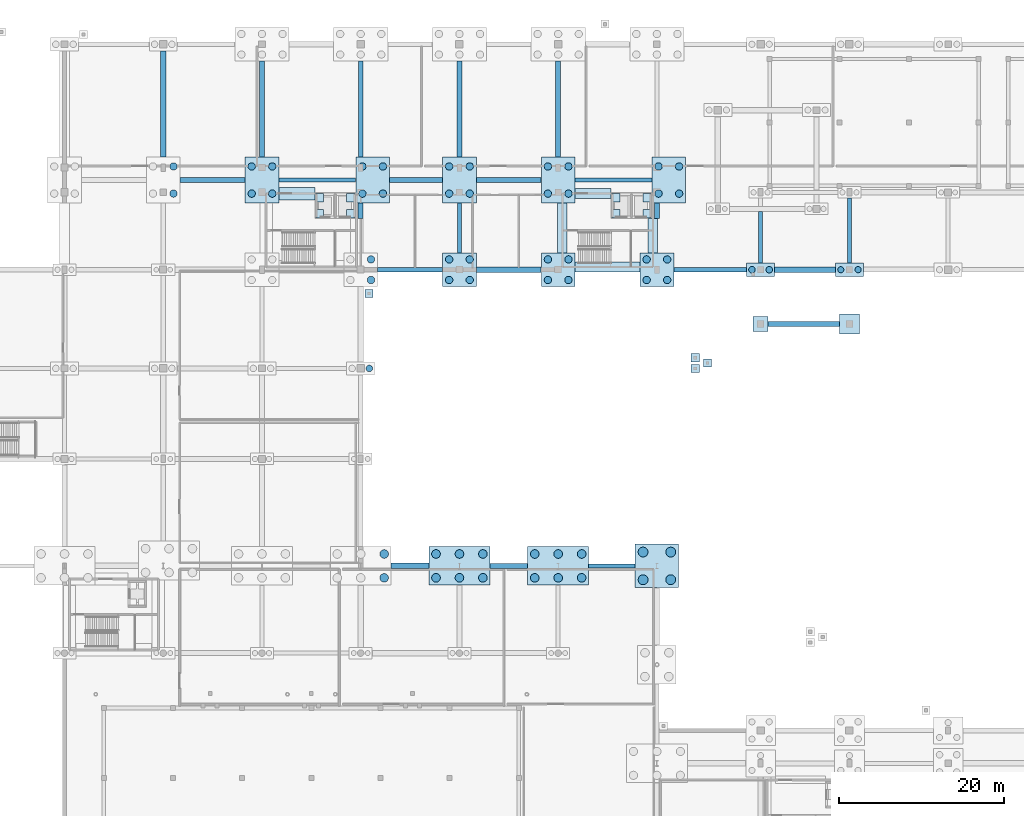
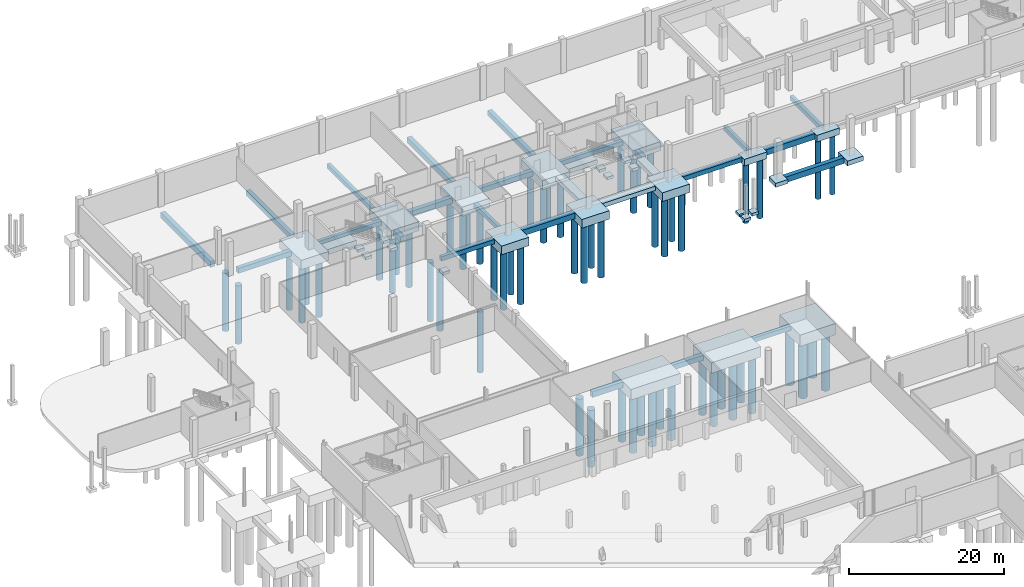
# One storey, part 4 of 42: 59 piles, 55 footings.
"""IFC4 building model written with IfcOpenShell, lengths in metres."""

from ifc_helpers import new_model, si_unit, direction, frame, origin, origin_2d, place, context, subcontext, project, spatial, rectangle, circle, extrude, material, material_profile, profile_set, type_object, element, save


model = new_model("IFC4")

# Units and contexts
model_context = context("Model", 3, precision=1e-05, world=origin(), true_north=direction((0.0, 1.0)))
body_context = subcontext(model_context, "Body", "Model", "MODEL_VIEW")
ifc_project = project(units=[si_unit("LENGTHUNIT", "METRE"), si_unit("AREAUNIT", "SQUARE_METRE"), si_unit("VOLUMEUNIT", "CUBIC_METRE"), si_unit("PLANEANGLEUNIT", "RADIAN"), si_unit("MASSUNIT", "GRAM", prefix="KILO"), si_unit("THERMODYNAMICTEMPERATUREUNIT", "KELVIN"), si_unit("POWERUNIT", "WATT")], contexts=[model_context])

# Site, building, storey
site_placement = place(None, origin())
site = spatial("IfcSite", under=ifc_project, at=site_placement, CompositionType="ELEMENT")
building_placement = place(site_placement, origin())
building = spatial("IfcBuilding", under=site, at=building_placement, Name="Solmara Park Aquatics Centre", CompositionType="ELEMENT")
storey_placement = place(building_placement, frame((0.0, 0.0, -5.39990234375)))
storey = spatial("IfcBuildingStorey", under=building, at=storey_placement, Name="B1", CompositionType="ELEMENT", Elevation=-5.39990234375)

# Footings
ifc_material = material(Name="Watertight Concrete C45/55", Category="concrete")
footing_type_1 = type_object("IfcFootingType", Name="STR-FB-500x700", PredefinedType="FOOTING_BEAM", material=ifc_material)
footing_1_placement = place(storey_placement, frame((91.125, 72.60009765625, -1.25), z_axis=(0.0, 0.0, 1.0), x_axis=(1.0, 0.0, 0.0)))
element("IfcFooting", 1, at=footing_1_placement, inside=storey, type_object=footing_type_1, Name="Ground Tie Beam FB-065", PredefinedType="FOOTING_BEAM", context=body_context, shape_type="SweptSolid", body=[
    extrude(rectangle(XDim=5.6298828125, YDim=0.5, at=origin_2d()), origin(), (0.0, 0.0, 1.0), 0.699951171875),
])
footing_2_placement = place(storey_placement, frame((66.60009765625, 108.60009765625, -1.25), z_axis=(0.0, 0.0, 1.0), x_axis=(1.0, 0.0, 0.0)))
element("IfcFooting", 2, at=footing_2_placement, inside=storey, type_object=footing_type_1, Name="Ground Tie Beam FB-082", PredefinedType="FOOTING_BEAM", context=body_context, shape_type="SweptSolid", body=[
    extrude(rectangle(XDim=7.8798828125, YDim=0.5, at=origin_2d()), origin(), (0.0, 0.0, 1.0), 0.699951171875),
])
footing_3_placement = place(storey_placement, frame((103.074951171875, 108.60009765625, -1.25), z_axis=(0.0, 0.0, 1.0), x_axis=(1.0, 0.0, 0.0)))
element("IfcFooting", 3, at=footing_3_placement, inside=storey, type_object=footing_type_1, Name="Ground Tie Beam FB-084", PredefinedType="FOOTING_BEAM", context=body_context, shape_type="SweptSolid", body=[
    extrude(rectangle(XDim=8.830078125, YDim=0.5, at=origin_2d()), origin(), (0.0, 0.0, 1.0), 0.699951171875),
])
for number, where, z_axis, x_axis, name in (
    (4, (55.324951171875, 119.5, -1.25), (0.0, 0.0, 1.0), (1.0, 0.0, 0.0), "Ground Tie Beam FB-096"),
    (5, (91.324951171875, 119.5, -1.25), (0.0, 0.0, 1.0), (1.0, 0.0, 0.0), "Ground Tie Beam FB-099"),
):
    element("IfcFooting", number, at=place(storey_placement, frame(where, z_axis=z_axis, x_axis=x_axis)), inside=storey, type_object=footing_type_1, Name=name, PredefinedType="FOOTING_BEAM", context=body_context, shape_type="SweptSolid", body=[
        extrude(rectangle(XDim=9.330078125, YDim=0.5, at=origin_2d()), origin(), (0.0, 0.0, 1.0), 0.699951171875),
    ])
footing_4_placement = place(storey_placement, frame((60.60009765625, 128.125, -1.25), z_axis=(0.0, 0.0, 1.0), x_axis=(1.0, 0.0, 0.0)))
element("IfcFooting", 6, at=footing_4_placement, inside=storey, type_object=footing_type_1, Name="Ground Tie Beam FB-142", PredefinedType="FOOTING_BEAM", context=body_context, shape_type="SweptSolid", body=[
    extrude(rectangle(XDim=0.5, YDim=11.6298828125, at=origin_2d()), origin(), (0.0, 0.0, 1.0), 0.699951171875),
])
footing_5_placement = place(storey_placement, frame((72.60009765625, 113.675048828125, -1.25), z_axis=(0.0, 0.0, 1.0), x_axis=(1.0, 0.0, 0.0)))
element("IfcFooting", 7, at=footing_5_placement, inside=storey, type_object=footing_type_1, Name="Ground Tie Beam FB-145", PredefinedType="FOOTING_BEAM", context=body_context, shape_type="SweptSolid", body=[
    extrude(rectangle(XDim=0.5, YDim=6.030029296875, at=origin_2d()), origin(), (0.0, 0.0, 1.0), 0.699951171875),
])
footing_6_placement = place(storey_placement, frame((109.199951171875, 112.550048828125, -1.25), z_axis=(0.0, 0.0, 1.0), x_axis=(1.0, 0.0, 0.0)))
element("IfcFooting", 8, at=footing_6_placement, inside=storey, type_object=footing_type_1, Name="Ground Tie Beam FB-159", PredefinedType="FOOTING_BEAM", context=body_context, shape_type="SweptSolid", body=[
    extrude(rectangle(XDim=0.5, YDim=6.280029296875, at=origin_2d()), origin(), (0.0, 0.0, 1.0), 0.699951171875),
])
footing_7_placement = place(storey_placement, frame((120.0, 113.35009765625, -1.25), z_axis=(0.0, 0.0, 1.0), x_axis=(1.0, 0.0, 0.0)))
element("IfcFooting", 9, at=footing_7_placement, inside=storey, type_object=footing_type_1, Name="Ground Tie Beam FB-167", PredefinedType="FOOTING_BEAM", context=body_context, shape_type="SweptSolid", body=[
    extrude(rectangle(XDim=0.5, YDim=7.8798828125, at=origin_2d()), origin(), (0.0, 0.0, 1.0), 0.699951171875),
])
footing_type_2 = type_object("IfcFootingType", Name="STR-FB-600x800", PredefinedType="FOOTING_BEAM", material=ifc_material)
footing_8_placement = place(storey_placement, frame((78.60009765625, 72.60009765625, -1.35009765625), z_axis=(0.0, 0.0, 1.0), x_axis=(1.0, 0.0, 0.0)))
element("IfcFooting", 10, at=footing_8_placement, inside=storey, type_object=footing_type_2, Name="Ground Tie Beam FB-064", PredefinedType="FOOTING_BEAM", context=body_context, shape_type="SweptSolid", body=[
    extrude(rectangle(XDim=4.580078125, YDim=0.60009765625, at=origin_2d()), origin(), (0.0, 0.0, 1.0), 0.800048828125),
])
for number, where, z_axis, x_axis, name in (
    (11, (42.60009765625, 119.5, -1.35009765625), (0.0, 0.0, 1.0), (1.0, 0.0, 0.0), "Ground Tie Beam FB-095"),
    (12, (78.60009765625, 119.5, -1.35009765625), (0.0, 0.0, 1.0), (1.0, 0.0, 0.0), "Ground Tie Beam FB-098"),
):
    element("IfcFooting", number, at=place(storey_placement, frame(where, z_axis=z_axis, x_axis=x_axis)), inside=storey, type_object=footing_type_2, Name=name, PredefinedType="FOOTING_BEAM", context=body_context, shape_type="SweptSolid", body=[
        extrude(rectangle(XDim=7.8798828125, YDim=0.60009765625, at=origin_2d()), origin(), (0.0, 0.0, 1.0), 0.800048828125),
    ])
footing_9_placement = place(storey_placement, frame((48.60009765625, 128.125, -1.35009765625), z_axis=(0.0, 0.0, 1.0), x_axis=(1.0, 0.0, 0.0)))
element("IfcFooting", 13, at=footing_9_placement, inside=storey, type_object=footing_type_2, Name="Ground Tie Beam FB-135", PredefinedType="FOOTING_BEAM", context=body_context, shape_type="SweptSolid", body=[
    extrude(rectangle(XDim=0.60009765625, YDim=11.6298828125, at=origin_2d()), origin(), (0.0, 0.0, 1.0), 0.800048828125),
])
footing_10_placement = place(storey_placement, frame((60.60009765625, 115.77001953125, -1.35009765625), z_axis=(0.0, 0.0, 1.0), x_axis=(1.0, 0.0, 0.0)))
element("IfcFooting", 14, at=footing_10_placement, inside=storey, type_object=footing_type_2, Name="Ground Tie Beam FB-141", PredefinedType="FOOTING_BEAM", context=body_context, shape_type="SweptSolid", body=[
    extrude(rectangle(XDim=0.60009765625, YDim=1.840087890625, at=origin_2d()), origin(), (0.0, 0.0, 1.0), 0.800048828125),
])
footing_11_placement = place(storey_placement, frame((84.60009765625, 128.125, -1.35009765625), z_axis=(0.0, 0.0, 1.0), x_axis=(1.0, 0.0, 0.0)))
element("IfcFooting", 15, at=footing_11_placement, inside=storey, type_object=footing_type_2, Name="Ground Tie Beam FB-149", PredefinedType="FOOTING_BEAM", context=body_context, shape_type="SweptSolid", body=[
    extrude(rectangle(XDim=0.60009765625, YDim=11.6298828125, at=origin_2d()), origin(), (0.0, 0.0, 1.0), 0.800048828125),
])
footing_12_placement = place(storey_placement, frame((96.60009765625, 115.77001953125, -1.35009765625), z_axis=(0.0, 0.0, 1.0), x_axis=(1.0, 0.0, 0.0)))
element("IfcFooting", 16, at=footing_12_placement, inside=storey, type_object=footing_type_2, Name="Ground Tie Beam FB-155", PredefinedType="FOOTING_BEAM", context=body_context, shape_type="SweptSolid", body=[
    extrude(rectangle(XDim=0.60009765625, YDim=1.840087890625, at=origin_2d()), origin(), (0.0, 0.0, 1.0), 0.800048828125),
])
footing_type_3 = type_object("IfcFootingType", Name="STR-FB-650x900", PredefinedType="FOOTING_BEAM", material=ifc_material)
footing_13_placement = place(storey_placement, frame((66.60009765625, 72.60009765625, -1.449951171875), z_axis=(0.0, 0.0, 1.0), x_axis=(1.0, 0.0, 0.0)))
element("IfcFooting", 17, at=footing_13_placement, inside=storey, type_object=footing_type_3, Name="Ground Tie Beam FB-063", PredefinedType="FOOTING_BEAM", context=body_context, shape_type="SweptSolid", body=[
    extrude(rectangle(XDim=4.580078125, YDim=0.64990234375, at=origin_2d()), origin(), (0.0, 0.0, 1.0), 0.89990234375),
])
footing_14_placement = place(storey_placement, frame((114.449951171875, 102.0, -1.449951171875), z_axis=(0.0, 0.0, 1.0), x_axis=(1.0, 0.0, 0.0)))
element("IfcFooting", 18, at=footing_14_placement, inside=storey, type_object=footing_type_3, Name="Ground Tie Beam FB-078", PredefinedType="FOOTING_BEAM", context=body_context, shape_type="SweptSolid", body=[
    extrude(rectangle(XDim=8.679931640625, YDim=0.64990234375, at=origin_2d()), origin(), (0.0, 0.0, 1.0), 0.89990234375),
])
footing_15_placement = place(storey_placement, frame((78.60009765625, 108.60009765625, -1.449951171875), z_axis=(0.0, 0.0, 1.0), x_axis=(1.0, 0.0, 0.0)))
element("IfcFooting", 19, at=footing_15_placement, inside=storey, type_object=footing_type_3, Name="Ground Tie Beam FB-083", PredefinedType="FOOTING_BEAM", context=body_context, shape_type="SweptSolid", body=[
    extrude(rectangle(XDim=7.8798828125, YDim=0.64990234375, at=origin_2d()), origin(), (0.0, 0.0, 1.0), 0.89990234375),
])
footing_16_placement = place(storey_placement, frame((114.60009765625, 108.60009765625, -1.449951171875), z_axis=(0.0, 0.0, 1.0), x_axis=(1.0, 0.0, 0.0)))
element("IfcFooting", 20, at=footing_16_placement, inside=storey, type_object=footing_type_3, Name="Ground Tie Beam FB-085", PredefinedType="FOOTING_BEAM", context=body_context, shape_type="SweptSolid", body=[
    extrude(rectangle(XDim=7.3798828125, YDim=0.64990234375, at=origin_2d()), origin(), (0.0, 0.0, 1.0), 0.89990234375),
])
footing_17_placement = place(storey_placement, frame((67.324951171875, 119.5, -1.449951171875), z_axis=(0.0, 0.0, 1.0), x_axis=(1.0, 0.0, 0.0)))
element("IfcFooting", 21, at=footing_17_placement, inside=storey, type_object=footing_type_3, Name="Ground Tie Beam FB-097", PredefinedType="FOOTING_BEAM", context=body_context, shape_type="SweptSolid", body=[
    extrude(rectangle(XDim=6.429931640625, YDim=0.64990234375, at=origin_2d()), origin(), (0.0, 0.0, 1.0), 0.89990234375),
])
footing_18_placement = place(storey_placement, frame((36.60009765625, 128.75, -1.449951171875), z_axis=(0.0, 0.0, 1.0), x_axis=(1.0, 0.0, 0.0)))
element("IfcFooting", 22, at=footing_18_placement, inside=storey, type_object=footing_type_3, Name="Ground Tie Beam FB-129", PredefinedType="FOOTING_BEAM", context=body_context, shape_type="SweptSolid", body=[
    extrude(rectangle(XDim=0.64990234375, YDim=12.8798828125, at=origin_2d()), origin(), (0.0, 0.0, 1.0), 0.89990234375),
])
footing_19_placement = place(storey_placement, frame((72.60009765625, 128.125, -1.449951171875), z_axis=(0.0, 0.0, 1.0), x_axis=(1.0, 0.0, 0.0)))
element("IfcFooting", 23, at=footing_19_placement, inside=storey, type_object=footing_type_3, Name="Ground Tie Beam FB-146", PredefinedType="FOOTING_BEAM", context=body_context, shape_type="SweptSolid", body=[
    extrude(rectangle(XDim=0.64990234375, YDim=11.6298828125, at=origin_2d()), origin(), (0.0, 0.0, 1.0), 0.89990234375),
])
footing_type_4 = type_object("IfcFootingType", Name="STR-PC-2P750", PredefinedType="PILE_CAP", material=ifc_material)
for number, where, z_axis, x_axis, name in (
    (24, (109.199951171875, 108.60009765625, -1.60009765625), (0.0, 0.0, 1.0), (1.0, 0.0, 0.0), "Pile Cap PC-075"),
    (25, (120.0, 108.60009765625, -1.60009765625), (0.0, 0.0, 1.0), (1.0, 0.0, 0.0), "Pile Cap PC-085"),
):
    element("IfcFooting", number, at=place(storey_placement, frame(where, z_axis=z_axis, x_axis=x_axis)), inside=storey, type_object=footing_type_4, Name=name, PredefinedType="PILE_CAP", context=body_context, shape_type="SweptSolid", body=[
        extrude(rectangle(XDim=3.39990234375, YDim=1.60009765625, at=origin_2d()), origin(), (0.0, 0.0, 1.0), 1.050048828125),
    ])
footing_type_5 = type_object("IfcFootingType", Name="STR-PC-4P1200", PredefinedType="PILE_CAP", material=ifc_material)
footing_20_placement = place(storey_placement, frame((96.60009765625, 72.60009765625, -2.35009765625), z_axis=(0.0, 0.0, 1.0), x_axis=(1.0, 0.0, 0.0)))
element("IfcFooting", 26, at=footing_20_placement, inside=storey, type_object=footing_type_5, Name="Pile Cap PC-065", PredefinedType="PILE_CAP", context=body_context, shape_type="SweptSolid", body=[
    extrude(rectangle(XDim=5.300048828125, YDim=5.300048828125, at=origin_2d()), origin(), (0.0, 0.0, 1.0), 1.800048828125),
])
footing_type_6 = type_object("IfcFootingType", Name="STR-PC-4P900", PredefinedType="PILE_CAP", material=ifc_material)
for number, where, z_axis, x_axis, name in (
    (27, (72.60009765625, 108.60009765625, -1.900146484375), (0.0, 0.0, 1.0), (1.0, 0.0, 0.0), "Pile Cap PC-050"),
    (28, (84.60009765625, 108.60009765625, -1.900146484375), (0.0, 0.0, 1.0), (1.0, 0.0, 0.0), "Pile Cap PC-057"),
    (29, (96.60009765625, 108.60009765625, -1.900146484375), (0.0, 0.0, 1.0), (1.0, 0.0, 0.0), "Pile Cap PC-066"),
):
    element("IfcFooting", number, at=place(storey_placement, frame(where, z_axis=z_axis, x_axis=x_axis)), inside=storey, type_object=footing_type_6, Name=name, PredefinedType="PILE_CAP", context=body_context, shape_type="SweptSolid", body=[
        extrude(rectangle(XDim=4.10009765625, YDim=4.10009765625, at=origin_2d()), origin(), (0.0, 0.0, 1.0), 1.35009765625),
    ])
footing_type_7 = type_object("IfcFootingType", Name="STR-PC-6P1050", PredefinedType="PILE_CAP", material=ifc_material)
for number, where, z_axis, x_axis, name in (
    (30, (72.60009765625, 72.60009765625, -2.199951171875), (0.0, 0.0, 1.0), (1.0, 0.0, 0.0), "Pile Cap PC-049"),
    (31, (84.60009765625, 72.60009765625, -2.199951171875), (0.0, 0.0, 1.0), (1.0, 0.0, 0.0), "Pile Cap PC-056"),
):
    element("IfcFooting", number, at=place(storey_placement, frame(where, z_axis=z_axis, x_axis=x_axis)), inside=storey, type_object=footing_type_7, Name=name, PredefinedType="PILE_CAP", context=body_context, shape_type="SweptSolid", body=[
        extrude(rectangle(XDim=7.39990234375, YDim=4.699951171875, at=origin_2d()), origin(), (0.0, 0.0, 1.0), 1.64990234375),
    ])
footing_type_8 = type_object("IfcFootingType", Name="STR-PC-COR900", PredefinedType="PILE_CAP", material=ifc_material)
for number, where, z_axis, x_axis, name in (
    (32, (48.60009765625, 119.5, -2.0), (0.0, 0.0, 1.0), (1.0, 0.0, 0.0), "Combined Corridor Pile Cap PC-035"),
    (33, (62.050048828125, 119.5, -2.0), (0.0, 0.0, 1.0), (1.0, 0.0, 0.0), "Combined Corridor Pile Cap PC-044"),
    (34, (72.60009765625, 119.5, -2.0), (0.0, 0.0, 1.0), (1.0, 0.0, 0.0), "Combined Corridor Pile Cap PC-051"),
    (35, (84.60009765625, 119.5, -2.0), (0.0, 0.0, 1.0), (1.0, 0.0, 0.0), "Combined Corridor Pile Cap PC-058"),
    (36, (98.050048828125, 119.5, -2.0), (0.0, 0.0, 1.0), (1.0, 0.0, 0.0), "Combined Corridor Pile Cap PC-067"),
):
    element("IfcFooting", number, at=place(storey_placement, frame(where, z_axis=z_axis, x_axis=x_axis)), inside=storey, type_object=footing_type_8, Name=name, PredefinedType="PILE_CAP", context=body_context, shape_type="SweptSolid", body=[
        extrude(rectangle(XDim=4.10009765625, YDim=5.60009765625, at=origin_2d()), origin(), (0.0, 0.0, 1.0), 1.449951171875),
    ])
footing_type_9 = type_object("IfcFootingType", Name="STR-PF-1000", PredefinedType="PAD_FOOTING", material=ifc_material)
for number, where, z_axis, x_axis, name in (
    (37, (55.60009765625, 115.39990234375, -2.39990234375), (0.0, 0.0, 1.0), (1.0, 0.0, 0.0), "Lift Pit LF-01 and LF-02 Bearing Pad 1"),
    (38, (59.39990234375, 115.39990234375, -2.39990234375), (0.0, 0.0, 1.0), (1.0, 0.0, 0.0), "Lift Pit LF-01 and LF-02 Bearing Pad 2"),
    (39, (55.60009765625, 117.35009765625, -2.39990234375), (0.0, 0.0, 1.0), (1.0, 0.0, 0.0), "Lift Pit LF-01 and LF-02 Bearing Pad 3"),
    (40, (59.39990234375, 117.35009765625, -2.39990234375), (0.0, 0.0, 1.0), (1.0, 0.0, 0.0), "Lift Pit LF-01 and LF-02 Bearing Pad 4"),
    (41, (91.60009765625, 115.39990234375, -2.39990234375), (0.0, 0.0, 1.0), (1.0, 0.0, 0.0), "Lift Pit LF-03 and LF-04 Bearing Pad 1"),
    (42, (95.39990234375, 115.39990234375, -2.39990234375), (0.0, 0.0, 1.0), (1.0, 0.0, 0.0), "Lift Pit LF-03 and LF-04 Bearing Pad 2"),
    (43, (91.60009765625, 117.35009765625, -2.39990234375), (0.0, 0.0, 1.0), (1.0, 0.0, 0.0), "Lift Pit LF-03 and LF-04 Bearing Pad 3"),
    (44, (95.39990234375, 117.35009765625, -2.39990234375), (0.0, 0.0, 1.0), (1.0, 0.0, 0.0), "Lift Pit LF-03 and LF-04 Bearing Pad 4"),
    (45, (61.60009765625, 105.699951171875, -1.0), (0.0, 0.0, 1.0), (1.0, 0.0, 0.0), "Apron Foundation Pier SLB-L00-APR-C-1 Footing"),
    (46, (101.25, 96.60009765625, -1.0), (0.0, 0.0, 1.0), (1.0, 0.0, 0.0), "Training Pool Hydrotherapy Deck Ramp Foundation Pier 1 Footing"),
    (47, (101.25, 97.89990234375, -1.0), (0.0, 0.0, 1.0), (1.0, 0.0, 0.0), "Training Pool Hydrotherapy Deck Ramp Foundation Pier 2 Footing"),
    (48, (102.75, 97.25, -1.0), (0.0, 0.0, 1.0), (1.0, 0.0, 0.0), "Training Pool Hydrotherapy Deck Ramp Foundation Pier 3 Footing"),
):
    element("IfcFooting", number, at=place(storey_placement, frame(where, z_axis=z_axis, x_axis=x_axis)), inside=storey, type_object=footing_type_9, Name=name, PredefinedType="PAD_FOOTING", context=body_context, shape_type="SweptSolid", body=[
        extrude(rectangle(XDim=1.0, YDim=1.0, at=origin_2d()), origin(), (0.0, 0.0, 1.0), 0.449951171875),
    ])
footing_type_10 = type_object("IfcFootingType", Name="STR-PF-1800", PredefinedType="PAD_FOOTING", material=ifc_material)
footing_21_placement = place(storey_placement, frame((109.199951171875, 102.0, -1.199951171875), z_axis=(0.0, 0.0, 1.0), x_axis=(1.0, 0.0, 0.0)))
element("IfcFooting", 49, at=footing_21_placement, inside=storey, type_object=footing_type_10, Name="Pad Footing PF-001", PredefinedType="PAD_FOOTING", context=body_context, shape_type="SweptSolid", body=[
    extrude(rectangle(XDim=1.800048828125, YDim=1.800048828125, at=origin_2d()), origin(), (0.0, 0.0, 1.0), 0.64990234375),
])
footing_type_11 = type_object("IfcFootingType", Name="STR-PF-2400", PredefinedType="PAD_FOOTING", material=ifc_material)
footing_22_placement = place(storey_placement, frame((120.0, 102.0, -1.300048828125), z_axis=(0.0, 0.0, 1.0), x_axis=(1.0, 0.0, 0.0)))
element("IfcFooting", 50, at=footing_22_placement, inside=storey, type_object=footing_type_11, Name="Pad Footing PF-003", PredefinedType="PAD_FOOTING", context=body_context, shape_type="SweptSolid", body=[
    extrude(rectangle(XDim=2.39990234375, YDim=2.39990234375, at=origin_2d()), origin(), (0.0, 0.0, 1.0), 0.75),
])

# Piles
ifc_material_profile_1 = material_profile(ifc_material, circle(Radius=0.52490234375, at=origin_2d()), Name="BORED PILE D1050")
ifc_profile_set_1 = profile_set([ifc_material_profile_1], Name="Watertight Concrete C45/55")
pile_type_1 = type_object("IfcPileType", Name="STR-PILE-D1050", PredefinedType="BORED", material=ifc_profile_set_1)
for number, where, z_axis, x_axis, name in (
    (51, (63.449951171875, 71.14990234375, -2.10009765625), (0.0, 0.0, -1.0), (1.0, 0.0, 0.0), "Bored Pile PL-0129"),
    (52, (63.449951171875, 74.050048828125, -2.10009765625), (0.0, 0.0, -1.0), (1.0, 0.0, 0.0), "Bored Pile PL-0132"),
    (53, (69.75, 71.14990234375, -2.10009765625), (0.0, 0.0, -1.0), (1.0, 0.0, 0.0), "Bored Pile PL-0159"),
    (54, (72.60009765625, 71.14990234375, -2.10009765625), (0.0, 0.0, -1.0), (1.0, 0.0, 0.0), "Bored Pile PL-0160"),
    (55, (75.449951171875, 71.14990234375, -2.10009765625), (0.0, 0.0, -1.0), (1.0, 0.0, 0.0), "Bored Pile PL-0161"),
    (56, (69.75, 74.050048828125, -2.10009765625), (0.0, 0.0, -1.0), (1.0, 0.0, 0.0), "Bored Pile PL-0162"),
    (57, (72.60009765625, 74.050048828125, -2.10009765625), (0.0, 0.0, -1.0), (1.0, 0.0, 0.0), "Bored Pile PL-0163"),
    (58, (75.449951171875, 74.050048828125, -2.10009765625), (0.0, 0.0, -1.0), (1.0, 0.0, 0.0), "Bored Pile PL-0164"),
    (59, (81.75, 71.14990234375, -2.10009765625), (0.0, 0.0, -1.0), (1.0, 0.0, 0.0), "Bored Pile PL-0187"),
    (60, (84.60009765625, 71.14990234375, -2.10009765625), (0.0, 0.0, -1.0), (1.0, 0.0, 0.0), "Bored Pile PL-0188"),
    (61, (87.449951171875, 71.14990234375, -2.10009765625), (0.0, 0.0, -1.0), (1.0, 0.0, 0.0), "Bored Pile PL-0189"),
    (62, (81.75, 74.050048828125, -2.10009765625), (0.0, 0.0, -1.0), (1.0, 0.0, 0.0), "Bored Pile PL-0190"),
    (63, (84.60009765625, 74.050048828125, -2.10009765625), (0.0, 0.0, -1.0), (1.0, 0.0, 0.0), "Bored Pile PL-0191"),
    (64, (87.449951171875, 74.050048828125, -2.10009765625), (0.0, 0.0, -1.0), (1.0, 0.0, 0.0), "Bored Pile PL-0192"),
):
    element("IfcPile", number, at=place(storey_placement, frame(where, z_axis=z_axis, x_axis=x_axis)), inside=storey, type_object=pile_type_1, Name=name, PredefinedType="BORED", context=body_context, shape_type="SweptSolid", body=[
        extrude(circle(Radius=0.52490234375, at=origin_2d()), origin(), (0.0, 0.0, 1.0), 9.0),
    ])
ifc_material_profile_2 = material_profile(ifc_material, circle(Radius=0.60009765625, at=origin_2d()), Name="BORED PILE D1200")
ifc_profile_set_2 = profile_set([ifc_material_profile_2], Name="Watertight Concrete C45/55")
pile_type_2 = type_object("IfcPileType", Name="STR-PILE-D1200", PredefinedType="BORED", material=ifc_profile_set_2)
for number, where, z_axis, x_axis, name in (
    (65, (94.919921875, 70.919921875, -2.25), (0.0, 0.0, -1.0), (1.0, 0.0, 0.0), "Bored Pile PL-0231"),
    (66, (98.280029296875, 70.919921875, -2.25), (0.0, 0.0, -1.0), (1.0, 0.0, 0.0), "Bored Pile PL-0232"),
    (67, (94.919921875, 74.280029296875, -2.25), (0.0, 0.0, -1.0), (1.0, 0.0, 0.0), "Bored Pile PL-0233"),
    (68, (98.280029296875, 74.280029296875, -2.25), (0.0, 0.0, -1.0), (1.0, 0.0, 0.0), "Bored Pile PL-0234"),
):
    element("IfcPile", number, at=place(storey_placement, frame(where, z_axis=z_axis, x_axis=x_axis)), inside=storey, type_object=pile_type_2, Name=name, PredefinedType="BORED", context=body_context, shape_type="SweptSolid", body=[
        extrude(circle(Radius=0.60009765625, at=origin_2d()), origin(), (0.0, 0.0, 1.0), 8.85009765625),
    ])
ifc_material_profile_3 = material_profile(ifc_material, circle(Radius=0.375, at=origin_2d()), Name="BORED PILE D750")
ifc_profile_set_3 = profile_set([ifc_material_profile_3], Name="Watertight Concrete C45/55")
pile_type_3 = type_object("IfcPileType", Name="STR-PILE-D750", PredefinedType="BORED", material=ifc_profile_set_3)
for number, where, z_axis, x_axis, name in (
    (69, (118.949951171875, 108.60009765625, -1.5), (0.0, 0.0, -1.0), (1.0, 0.0, 0.0), "Bored Pile PL-0295"),
    (70, (121.050048828125, 108.60009765625, -1.5), (0.0, 0.0, -1.0), (1.0, 0.0, 0.0), "Bored Pile PL-0296"),
):
    element("IfcPile", number, at=place(storey_placement, frame(where, z_axis=z_axis, x_axis=x_axis)), inside=storey, type_object=pile_type_3, Name=name, PredefinedType="BORED", context=body_context, shape_type="SweptSolid", body=[
        extrude(circle(Radius=0.375, at=origin_2d()), origin(), (0.0, 0.0, 1.0), 9.60009765625),
    ])
ifc_material_profile_4 = material_profile(ifc_material, circle(Radius=0.39990234375, at=origin_2d()), Name="BORED PILE D800")
ifc_profile_set_4 = profile_set([ifc_material_profile_4], Name="Watertight Concrete C45/55")
pile_type_4 = type_object("IfcPileType", Name="STR-PILE-D800", PredefinedType="BORED", material=ifc_profile_set_4)
for number, where, z_axis, x_axis, name in (
    (71, (61.64990234375, 96.60009765625, -1.5), (0.0, 0.0, -1.0), (1.0, 0.0, 0.0), "Bored Pile PL-0136"),
    (72, (108.14990234375, 108.60009765625, -1.5), (0.0, 0.0, -1.0), (1.0, 0.0, 0.0), "Bored Pile PL-0267"),
    (73, (110.25, 108.60009765625, -1.5), (0.0, 0.0, -1.0), (1.0, 0.0, 0.0), "Bored Pile PL-0268"),
):
    element("IfcPile", number, at=place(storey_placement, frame(where, z_axis=z_axis, x_axis=x_axis)), inside=storey, type_object=pile_type_4, Name=name, PredefinedType="BORED", context=body_context, shape_type="SweptSolid", body=[
        extrude(circle(Radius=0.39990234375, at=origin_2d()), origin(), (0.0, 0.0, 1.0), 9.60009765625),
    ])
ifc_material_profile_5 = material_profile(ifc_material, circle(Radius=0.449951171875, at=origin_2d()), Name="BORED PILE D900")
ifc_profile_set_5 = profile_set([ifc_material_profile_5], Name="Watertight Concrete C45/55")
pile_type_5 = type_object("IfcPileType", Name="STR-PILE-D900", PredefinedType="BORED", material=ifc_profile_set_5)
for number, where, z_axis, x_axis, name in (
    (74, (37.85009765625, 117.85009765625, -1.900146484375), (0.0, 0.0, -1.0), (1.0, 0.0, 0.0), "Bored Pile PL-0082"),
    (75, (37.85009765625, 121.14990234375, -1.900146484375), (0.0, 0.0, -1.0), (1.0, 0.0, 0.0), "Bored Pile PL-0084"),
    (76, (47.35009765625, 117.85009765625, -1.900146484375), (0.0, 0.0, -1.0), (1.0, 0.0, 0.0), "Bored Pile PL-0109"),
    (77, (49.85009765625, 117.85009765625, -1.900146484375), (0.0, 0.0, -1.0), (1.0, 0.0, 0.0), "Bored Pile PL-0110"),
    (78, (47.35009765625, 121.14990234375, -1.900146484375), (0.0, 0.0, -1.0), (1.0, 0.0, 0.0), "Bored Pile PL-0111"),
    (79, (49.85009765625, 121.14990234375, -1.900146484375), (0.0, 0.0, -1.0), (1.0, 0.0, 0.0), "Bored Pile PL-0112"),
):
    element("IfcPile", number, at=place(storey_placement, frame(where, z_axis=z_axis, x_axis=x_axis)), inside=storey, type_object=pile_type_5, Name=name, PredefinedType="BORED", context=body_context, shape_type="SweptSolid", body=[
        extrude(circle(Radius=0.449951171875, at=origin_2d()), origin(), (0.0, 0.0, 1.0), 9.199951171875),
    ])
for number, where, z_axis, x_axis, name in (
    (80, (61.85009765625, 107.35009765625, -1.800048828125), (0.0, 0.0, -1.0), (1.0, 0.0, 0.0), "Bored Pile PL-0138"),
    (81, (61.85009765625, 109.85009765625, -1.800048828125), (0.0, 0.0, -1.0), (1.0, 0.0, 0.0), "Bored Pile PL-0140"),
):
    element("IfcPile", number, at=place(storey_placement, frame(where, z_axis=z_axis, x_axis=x_axis)), inside=storey, type_object=pile_type_5, Name=name, PredefinedType="BORED", context=body_context, shape_type="SweptSolid", body=[
        extrude(circle(Radius=0.449951171875, at=origin_2d()), origin(), (0.0, 0.0, 1.0), 9.300048828125),
    ])
for number, where, z_axis, x_axis, name in (
    (82, (60.800048828125, 117.85009765625, -1.900146484375), (0.0, 0.0, -1.0), (1.0, 0.0, 0.0), "Bored Pile PL-0141"),
    (83, (63.300048828125, 117.85009765625, -1.900146484375), (0.0, 0.0, -1.0), (1.0, 0.0, 0.0), "Bored Pile PL-0142"),
    (84, (60.800048828125, 121.14990234375, -1.900146484375), (0.0, 0.0, -1.0), (1.0, 0.0, 0.0), "Bored Pile PL-0143"),
    (85, (63.300048828125, 121.14990234375, -1.900146484375), (0.0, 0.0, -1.0), (1.0, 0.0, 0.0), "Bored Pile PL-0144"),
):
    element("IfcPile", number, at=place(storey_placement, frame(where, z_axis=z_axis, x_axis=x_axis)), inside=storey, type_object=pile_type_5, Name=name, PredefinedType="BORED", context=body_context, shape_type="SweptSolid", body=[
        extrude(circle(Radius=0.449951171875, at=origin_2d()), origin(), (0.0, 0.0, 1.0), 9.199951171875),
    ])
for number, where, z_axis, x_axis, name in (
    (86, (71.35009765625, 107.35009765625, -1.800048828125), (0.0, 0.0, -1.0), (1.0, 0.0, 0.0), "Bored Pile PL-0165"),
    (87, (73.85009765625, 107.35009765625, -1.800048828125), (0.0, 0.0, -1.0), (1.0, 0.0, 0.0), "Bored Pile PL-0166"),
    (88, (71.35009765625, 109.85009765625, -1.800048828125), (0.0, 0.0, -1.0), (1.0, 0.0, 0.0), "Bored Pile PL-0167"),
    (89, (73.85009765625, 109.85009765625, -1.800048828125), (0.0, 0.0, -1.0), (1.0, 0.0, 0.0), "Bored Pile PL-0168"),
):
    element("IfcPile", number, at=place(storey_placement, frame(where, z_axis=z_axis, x_axis=x_axis)), inside=storey, type_object=pile_type_5, Name=name, PredefinedType="BORED", context=body_context, shape_type="SweptSolid", body=[
        extrude(circle(Radius=0.449951171875, at=origin_2d()), origin(), (0.0, 0.0, 1.0), 9.300048828125),
    ])
for number, where, z_axis, x_axis, name in (
    (90, (71.35009765625, 117.85009765625, -1.900146484375), (0.0, 0.0, -1.0), (1.0, 0.0, 0.0), "Bored Pile PL-0169"),
    (91, (73.85009765625, 117.85009765625, -1.900146484375), (0.0, 0.0, -1.0), (1.0, 0.0, 0.0), "Bored Pile PL-0170"),
    (92, (71.35009765625, 121.14990234375, -1.900146484375), (0.0, 0.0, -1.0), (1.0, 0.0, 0.0), "Bored Pile PL-0171"),
    (93, (73.85009765625, 121.14990234375, -1.900146484375), (0.0, 0.0, -1.0), (1.0, 0.0, 0.0), "Bored Pile PL-0172"),
):
    element("IfcPile", number, at=place(storey_placement, frame(where, z_axis=z_axis, x_axis=x_axis)), inside=storey, type_object=pile_type_5, Name=name, PredefinedType="BORED", context=body_context, shape_type="SweptSolid", body=[
        extrude(circle(Radius=0.449951171875, at=origin_2d()), origin(), (0.0, 0.0, 1.0), 9.199951171875),
    ])
for number, where, z_axis, x_axis, name in (
    (94, (83.35009765625, 107.35009765625, -1.800048828125), (0.0, 0.0, -1.0), (1.0, 0.0, 0.0), "Bored Pile PL-0193"),
    (95, (85.85009765625, 107.35009765625, -1.800048828125), (0.0, 0.0, -1.0), (1.0, 0.0, 0.0), "Bored Pile PL-0194"),
    (96, (83.35009765625, 109.85009765625, -1.800048828125), (0.0, 0.0, -1.0), (1.0, 0.0, 0.0), "Bored Pile PL-0195"),
    (97, (85.85009765625, 109.85009765625, -1.800048828125), (0.0, 0.0, -1.0), (1.0, 0.0, 0.0), "Bored Pile PL-0196"),
):
    element("IfcPile", number, at=place(storey_placement, frame(where, z_axis=z_axis, x_axis=x_axis)), inside=storey, type_object=pile_type_5, Name=name, PredefinedType="BORED", context=body_context, shape_type="SweptSolid", body=[
        extrude(circle(Radius=0.449951171875, at=origin_2d()), origin(), (0.0, 0.0, 1.0), 9.300048828125),
    ])
for number, where, z_axis, x_axis, name in (
    (98, (83.35009765625, 117.85009765625, -1.900146484375), (0.0, 0.0, -1.0), (1.0, 0.0, 0.0), "Bored Pile PL-0197"),
    (99, (85.85009765625, 117.85009765625, -1.900146484375), (0.0, 0.0, -1.0), (1.0, 0.0, 0.0), "Bored Pile PL-0198"),
    (100, (83.35009765625, 121.14990234375, -1.900146484375), (0.0, 0.0, -1.0), (1.0, 0.0, 0.0), "Bored Pile PL-0199"),
    (101, (85.85009765625, 121.14990234375, -1.900146484375), (0.0, 0.0, -1.0), (1.0, 0.0, 0.0), "Bored Pile PL-0200"),
):
    element("IfcPile", number, at=place(storey_placement, frame(where, z_axis=z_axis, x_axis=x_axis)), inside=storey, type_object=pile_type_5, Name=name, PredefinedType="BORED", context=body_context, shape_type="SweptSolid", body=[
        extrude(circle(Radius=0.449951171875, at=origin_2d()), origin(), (0.0, 0.0, 1.0), 9.199951171875),
    ])
for number, where, z_axis, x_axis, name in (
    (102, (95.35009765625, 107.35009765625, -1.800048828125), (0.0, 0.0, -1.0), (1.0, 0.0, 0.0), "Bored Pile PL-0235"),
    (103, (97.85009765625, 107.35009765625, -1.800048828125), (0.0, 0.0, -1.0), (1.0, 0.0, 0.0), "Bored Pile PL-0236"),
    (104, (95.35009765625, 109.85009765625, -1.800048828125), (0.0, 0.0, -1.0), (1.0, 0.0, 0.0), "Bored Pile PL-0237"),
    (105, (97.85009765625, 109.85009765625, -1.800048828125), (0.0, 0.0, -1.0), (1.0, 0.0, 0.0), "Bored Pile PL-0238"),
):
    element("IfcPile", number, at=place(storey_placement, frame(where, z_axis=z_axis, x_axis=x_axis)), inside=storey, type_object=pile_type_5, Name=name, PredefinedType="BORED", context=body_context, shape_type="SweptSolid", body=[
        extrude(circle(Radius=0.449951171875, at=origin_2d()), origin(), (0.0, 0.0, 1.0), 9.300048828125),
    ])
for number, where, z_axis, x_axis, name in (
    (106, (96.800048828125, 117.85009765625, -1.900146484375), (0.0, 0.0, -1.0), (1.0, 0.0, 0.0), "Bored Pile PL-0239"),
    (107, (99.300048828125, 117.85009765625, -1.900146484375), (0.0, 0.0, -1.0), (1.0, 0.0, 0.0), "Bored Pile PL-0240"),
    (108, (96.800048828125, 121.14990234375, -1.900146484375), (0.0, 0.0, -1.0), (1.0, 0.0, 0.0), "Bored Pile PL-0241"),
    (109, (99.300048828125, 121.14990234375, -1.900146484375), (0.0, 0.0, -1.0), (1.0, 0.0, 0.0), "Bored Pile PL-0242"),
):
    element("IfcPile", number, at=place(storey_placement, frame(where, z_axis=z_axis, x_axis=x_axis)), inside=storey, type_object=pile_type_5, Name=name, PredefinedType="BORED", context=body_context, shape_type="SweptSolid", body=[
        extrude(circle(Radius=0.449951171875, at=origin_2d()), origin(), (0.0, 0.0, 1.0), 9.199951171875),
    ])

# Footings
footing_type_12 = type_object("IfcFootingType", Name="STR-SF-1200x700", PredefinedType="STRIP_FOOTING", material=ifc_material)
footing_23_placement = place(storey_placement, frame((90.60009765625, 108.949951171875, -1.25), z_axis=(0.0, 0.0, 1.0), x_axis=(1.0, 0.0, 0.0)))
element("IfcFooting", 110, at=footing_23_placement, inside=storey, type_object=footing_type_12, Name="Core Strip Footing SF-005", PredefinedType="STRIP_FOOTING", context=body_context, shape_type="SweptSolid", body=[
    extrude(rectangle(XDim=7.8798828125, YDim=1.199951171875, at=origin_2d()), origin(), (0.0, 0.0, 1.0), 0.699951171875),
])
footing_24_placement = place(storey_placement, frame((88.85009765625, 117.85009765625, -1.25), z_axis=(0.0, 0.0, 1.0), x_axis=(1.0, 0.0, 0.0)))
element("IfcFooting", 111, at=footing_24_placement, inside=storey, type_object=footing_type_12, Name="Core Strip Footing SF-006", PredefinedType="STRIP_FOOTING", context=body_context, shape_type="SweptSolid", body=[
    extrude(rectangle(XDim=4.3798828125, YDim=1.199951171875, at=origin_2d()), origin(), (0.0, 0.0, 1.0), 0.699951171875),
])
footing_25_placement = place(storey_placement, frame((85.10009765625, 113.675048828125, -1.25), z_axis=(0.0, 0.0, 1.0), x_axis=(1.0, 0.0, 0.0)))
element("IfcFooting", 112, at=footing_25_placement, inside=storey, type_object=footing_type_12, Name="Core Strip Footing SF-007", PredefinedType="STRIP_FOOTING", context=body_context, shape_type="SweptSolid", body=[
    extrude(rectangle(XDim=1.199951171875, YDim=6.030029296875, at=origin_2d()), origin(), (0.0, 0.0, 1.0), 0.699951171875),
])
footing_26_placement = place(storey_placement, frame((96.10009765625, 112.75, -1.25), z_axis=(0.0, 0.0, 1.0), x_axis=(1.0, 0.0, 0.0)))
element("IfcFooting", 113, at=footing_26_placement, inside=storey, type_object=footing_type_12, Name="Core Strip Footing SF-008", PredefinedType="STRIP_FOOTING", context=body_context, shape_type="SweptSolid", body=[
    extrude(rectangle(XDim=1.199951171875, YDim=4.179931640625, at=origin_2d()), origin(), (0.0, 0.0, 1.0), 0.699951171875),
])
footing_type_13 = type_object("IfcFootingType", Name="STR-SF-1500x800", PredefinedType="STRIP_FOOTING", material=ifc_material)
footing_27_placement = place(storey_placement, frame((52.85009765625, 117.85009765625, -1.35009765625), z_axis=(0.0, 0.0, 1.0), x_axis=(1.0, 0.0, 0.0)))
element("IfcFooting", 114, at=footing_27_placement, inside=storey, type_object=footing_type_13, Name="Core Strip Footing SF-002", PredefinedType="STRIP_FOOTING", context=body_context, shape_type="SweptSolid", body=[
    extrude(rectangle(XDim=4.3798828125, YDim=1.5, at=origin_2d()), origin(), (0.0, 0.0, 1.0), 0.800048828125),
])

save(model, "model.ifc")
